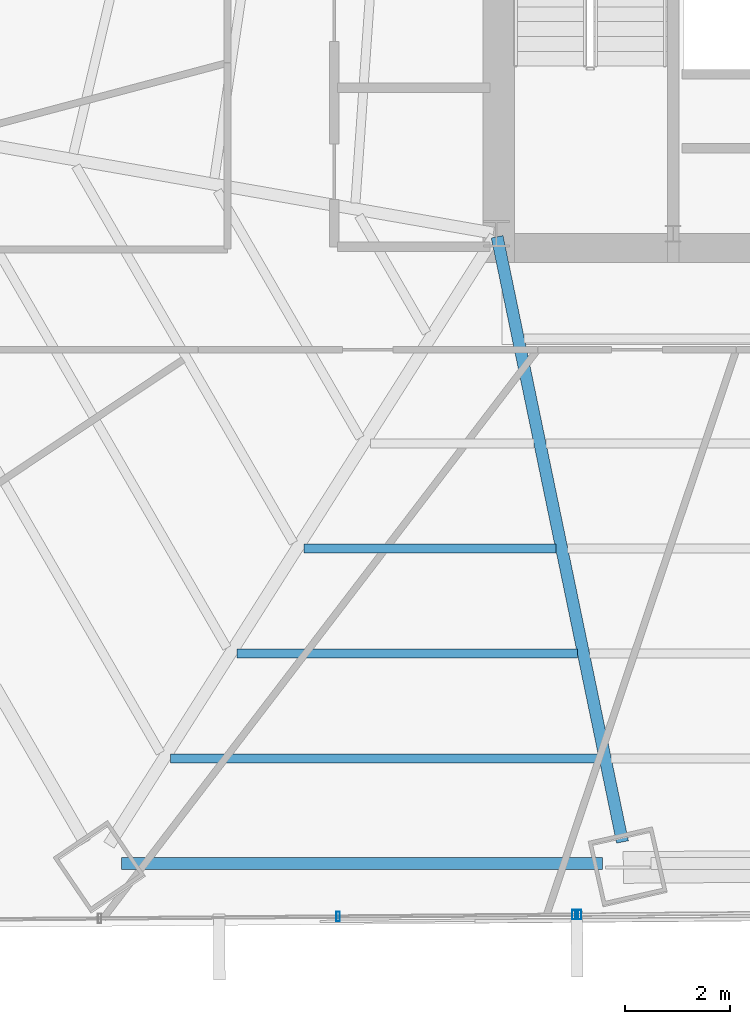
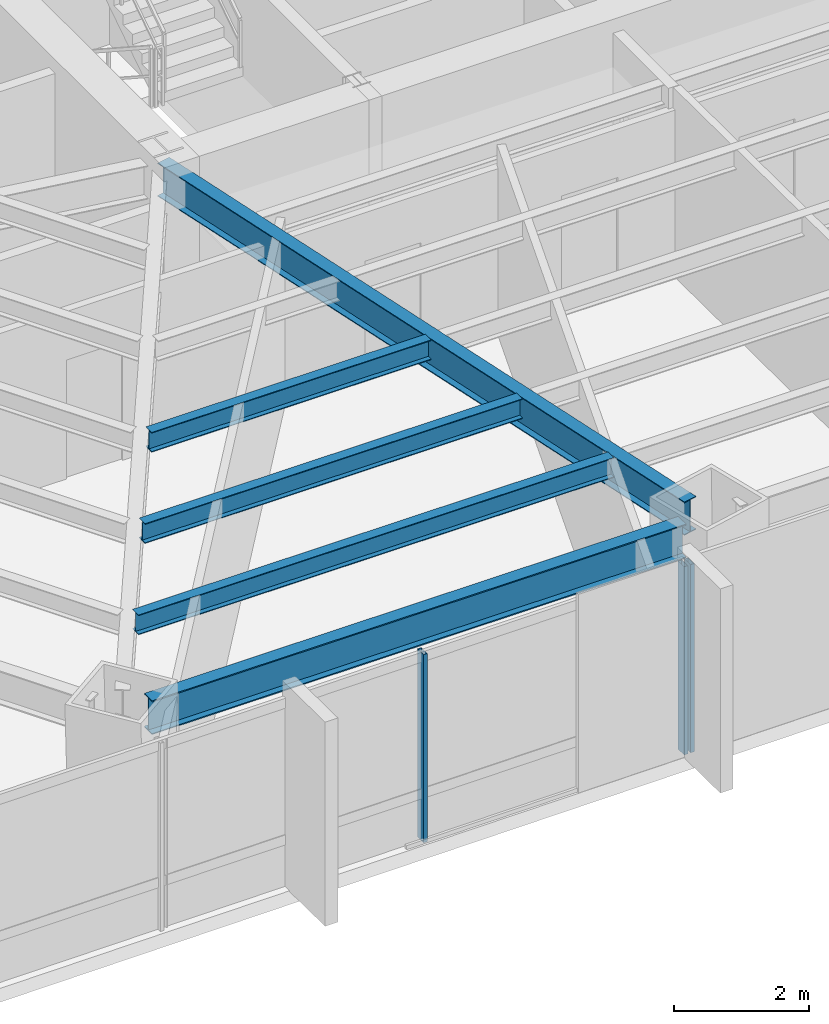
# One storey, part 7 of 34: 5 beams, 3 members, 2 elements without a shape of their own.
"""IFC4 building model written with IfcOpenShell, lengths in metres."""

from ifc_helpers import new_model, si_unit, direction, frame, origin, origin_2d, place, context, subcontext, project, spatial, hollow_rectangle, i_section, extrude, source, transform, mapped, material, material_profile, profile_set, type_object, type_shapes, element, aggregate, save


model = new_model("IFC4")

# Units and contexts
model_context = context("Model", 3, precision=1e-05, world=origin(), true_north=direction((0.0, 1.0)))
body_context = subcontext(model_context, "Body", "Model", "MODEL_VIEW")
ifc_project = project(units=[si_unit("LENGTHUNIT", "METRE"), si_unit("AREAUNIT", "SQUARE_METRE"), si_unit("VOLUMEUNIT", "CUBIC_METRE"), si_unit("PLANEANGLEUNIT", "RADIAN"), si_unit("MASSUNIT", "GRAM", prefix="KILO")], contexts=[model_context])

# Site, building, storey
site_placement = place(None, origin())
site = spatial("IfcSite", under=ifc_project, at=site_placement, CompositionType="ELEMENT")
building_placement = place(site_placement, origin())
building = spatial("IfcBuilding", under=site, at=building_placement, Name="Caelisora Broadcast Tower", CompositionType="ELEMENT")
storey_placement = place(building_placement, frame((0.0, 0.0, 56.800048828125)))
storey = spatial("IfcBuildingStorey", under=building, at=storey_placement, Name="L14", CompositionType="ELEMENT", Elevation=56.800048828125)

# Beams
ifc_material_1 = material(Name="Steel Grade 350 (AS/NZS 3679.1)", Category="steel")
ifc_material_profile_1 = material_profile(ifc_material_1, i_section(OverallWidth=0.22900390625, OverallDepth=0.611572265625, WebThickness=0.011962890625, FlangeThickness=0.01953125, at=origin_2d()), Name="Steel Grade 350 (AS/NZS 3679.1)")
ifc_profile_set_1 = profile_set([ifc_material_profile_1], Name="Steel Grade 350 (AS/NZS 3679.1)")
beam_type_1 = type_object("IfcBeamType", Name="PG03", PredefinedType="BEAM", material=ifc_profile_set_1)
shared_shape_1 = source(origin(), body_context, "Body", "SweptSolid", [
    extrude(i_section(OverallWidth=0.22900390625, OverallDepth=0.611572265625, WebThickness=0.011962890625, FlangeThickness=0.01953125, at=origin_2d()), origin(), (0.0, 0.0, 1.0), 9.1298828125),
])
type_shapes(beam_type_1, [shared_shape_1])
beam_1_placement = place(storey_placement, frame((23.38525390625, 5.45068359375, 3.09423828125), z_axis=(1.0, 0.0, 0.0), x_axis=(0.0, 1.0, 0.0)))
element("IfcBeam", 1, at=beam_1_placement, inside=storey, type_object=beam_type_1, Name="L14 beam PG03", PredefinedType="BEAM", context=body_context, shape_type="MappedRepresentation", body=[
    mapped(shared_shape_1, transform((0.0, 0.0, 0.0), scale=1.0)),
])
ifc_material_profile_2 = material_profile(ifc_material_1, i_section(OverallWidth=0.22802734375, OverallDepth=0.602294921875, WebThickness=0.010498046875, FlangeThickness=0.014892578125, at=origin_2d()), Name="Steel Grade 350 (AS/NZS 3679.1)")
ifc_profile_set_2 = profile_set([ifc_material_profile_2], Name="Steel Grade 350 (AS/NZS 3679.1)")
beam_type_2 = type_object("IfcBeamType", Name="PG04", PredefinedType="BEAM", material=ifc_profile_set_2)
shared_shape_2 = source(origin(), body_context, "Body", "SweptSolid", [
    extrude(i_section(OverallWidth=0.22802734375, OverallDepth=0.602294921875, WebThickness=0.010498046875, FlangeThickness=0.014892578125, at=origin_2d()), origin(), (0.0, 0.0, 1.0), 11.722900390625),
])
type_shapes(beam_type_2, [shared_shape_2])
beam_2_placement = place(storey_placement, frame((30.51220703125, 17.34130859375, 3.098876953125), z_axis=(0.202823903376, -0.979215228752, 0.0), x_axis=(0.979215228752, 0.202823903376, 0.0)))
element("IfcBeam", 2, at=beam_2_placement, inside=storey, type_object=beam_type_2, Name="L14 beam PG04", PredefinedType="BEAM", context=body_context, shape_type="MappedRepresentation", body=[
    mapped(shared_shape_2, transform((0.0, 0.0, 0.0), scale=1.0)),
])
ifc_material_profile_3 = material_profile(ifc_material_1, i_section(OverallWidth=0.172119140625, OverallDepth=0.358642578125, WebThickness=0.008056640625, FlangeThickness=0.012939453125, at=origin_2d()), Name="Steel Grade 350 (AS/NZS 3679.1)")
ifc_profile_set_3 = profile_set([ifc_material_profile_3], Name="Steel Grade 350 (AS/NZS 3679.1)")
beam_type_3 = type_object("IfcBeamType", Name="SB02", PredefinedType="JOIST", material=ifc_profile_set_3)
shared_shape_3 = source(origin(), body_context, "Body", "SweptSolid", [
    extrude(i_section(OverallWidth=0.172119140625, OverallDepth=0.358642578125, WebThickness=0.008056640625, FlangeThickness=0.012939453125, at=origin_2d()), origin(), (0.0, 0.0, 1.0), 4.77978515625),
])
beam_3_placement = place(storey_placement, frame((26.844482421875, 11.42529296875, 3.220703125), z_axis=(1.0, 0.0, 0.0), x_axis=(0.0, 1.0, 0.0)))
element("IfcBeam", 3, at=beam_3_placement, inside=storey, type_object=beam_type_3, Name="L14 beam SB02", PredefinedType="JOIST", context=body_context, shape_type="MappedRepresentation", body=[
    mapped(shared_shape_3, transform((0.0, 0.0, 0.0), scale=1.0)),
])
shared_shape_4 = source(origin(), body_context, "Body", "SweptSolid", [
    extrude(i_section(OverallWidth=0.172119140625, OverallDepth=0.358642578125, WebThickness=0.008056640625, FlangeThickness=0.012939453125, at=origin_2d()), origin(), (0.0, 0.0, 1.0), 6.45458984375),
])
beam_4_placement = place(storey_placement, frame((25.58203125, 9.433837890625, 3.220703125), z_axis=(1.0, 0.0, 0.0), x_axis=(0.0, 1.0, 0.0)))
element("IfcBeam", 4, at=beam_4_placement, inside=storey, type_object=beam_type_3, Name="L14 beam SB02", PredefinedType="JOIST", context=body_context, shape_type="MappedRepresentation", body=[
    mapped(shared_shape_4, transform((0.0, 0.0, 0.0), scale=1.0)),
])
shared_shape_5 = source(origin(), body_context, "Body", "SweptSolid", [
    extrude(i_section(OverallWidth=0.172119140625, OverallDepth=0.358642578125, WebThickness=0.008056640625, FlangeThickness=0.012939453125, at=origin_2d()), origin(), (0.0, 0.0, 1.0), 8.129638671875),
])
type_shapes(beam_type_3, [shared_shape_3, shared_shape_4, shared_shape_5])
beam_5_placement = place(storey_placement, frame((24.319580078125, 7.442138671875, 3.220703125), z_axis=(1.0, 0.0, 0.0), x_axis=(0.0, 1.0, 0.0)))
element("IfcBeam", 5, at=beam_5_placement, inside=storey, type_object=beam_type_3, Name="L14 beam SB02", PredefinedType="JOIST", context=body_context, shape_type="MappedRepresentation", body=[
    mapped(shared_shape_5, transform((0.0, 0.0, 0.0), scale=1.0)),
])

# Curtain wall, member
ifc_material_2 = material(Name="Unitised Aluminium Insulated Shadow-Box Spandrel Curtain Wall", Category="aluminium")
curtain_wall_type_1 = type_object("IfcCurtainWallType", Name="CW-SP1", PredefinedType="NOTDEFINED", material=ifc_material_2)
curtain_wall_1_placement = place(storey_placement, origin())
curtain_wall_1 = element("IfcCurtainWall", 6, at=curtain_wall_1_placement, inside=storey, type_object=curtain_wall_type_1, Name="L14 curtain wall CW-SP1", PredefinedType="NOTDEFINED")
ifc_material_3 = material(Name="Aluminium 6063-T6 Anodised Terracotta Bronze", Category="aluminium")
ifc_material_profile_4 = material_profile(ifc_material_3, hollow_rectangle(XDim=0.06494140625, YDim=0.179931640625, WallThickness=0.00341796875, at=origin_2d()), Name="Aluminium 6063-T6 Anodised Terracotta Bronze")
ifc_profile_set_4 = profile_set([ifc_material_profile_4], Name="Aluminium 6063-T6 Anodised Terracotta Bronze")
member_type = type_object("IfcMemberType", Name="CWM-02", PredefinedType="MULLION", material=ifc_profile_set_4)
shared_shape_6 = source(origin(), body_context, "Body", "SweptSolid", [
    extrude(hollow_rectangle(XDim=0.06494140625, YDim=0.179931640625, WallThickness=0.00341796875, at=origin_2d()), origin(), (0.0, 0.0, 1.0), 3.39990234375),
])
type_shapes(member_type, [shared_shape_6])
member_1_placement = place(storey_placement, frame((32.07861328125, 4.48388671875, 0.0), z_axis=(0.0, 0.0, 1.0), x_axis=(1.0, 0.0, 0.0)))
member_1 = element("IfcMember", 7, at=member_1_placement, type_object=member_type, Name="L14-CW-B06 mullion #3", PredefinedType="MULLION", context=body_context, shape_type="MappedRepresentation", body=[
    mapped(shared_shape_6, transform((0.0, 0.0, 0.0), scale=1.0)),
])
aggregate(curtain_wall_1, [member_1])

# Curtain wall, members
ifc_material_4 = material(Name="Unitised Aluminium and Low-E Glass Curtain Wall", Category="glass")
curtain_wall_type_2 = type_object("IfcCurtainWallType", Name="CW-Z1", PredefinedType="NOTDEFINED", material=ifc_material_4)
curtain_wall_2_placement = place(storey_placement, origin())
curtain_wall_2 = element("IfcCurtainWall", 8, at=curtain_wall_2_placement, inside=storey, type_object=curtain_wall_type_2, Name="L14 curtain wall CW-Z1", PredefinedType="NOTDEFINED")
member_2_placement = place(storey_placement, frame((31.968505859375, 4.483154296875, 0.0), z_axis=(0.0, 0.0, 1.0), x_axis=(1.0, 0.0, 0.0)))
member_2 = element("IfcMember", 9, at=member_2_placement, type_object=member_type, Name="L14-CW-B07 mullion #0", PredefinedType="MULLION", context=body_context, shape_type="MappedRepresentation", body=[
    mapped(shared_shape_6, transform((0.0, 0.0, 0.0), scale=1.0)),
])
member_3_placement = place(storey_placement, frame((27.49609375, 4.44775390625, 0.0), z_axis=(0.0, 0.0, 1.0), x_axis=(1.0, 0.0, 0.0)))
member_3 = element("IfcMember", 10, at=member_3_placement, type_object=member_type, Name="L14-CW-B07 mullion #1", PredefinedType="MULLION", context=body_context, shape_type="MappedRepresentation", body=[
    mapped(shared_shape_6, transform((0.0, 0.0, 0.0), scale=1.0)),
])
aggregate(curtain_wall_2, [member_2, member_3])

save(model, "model.ifc")
